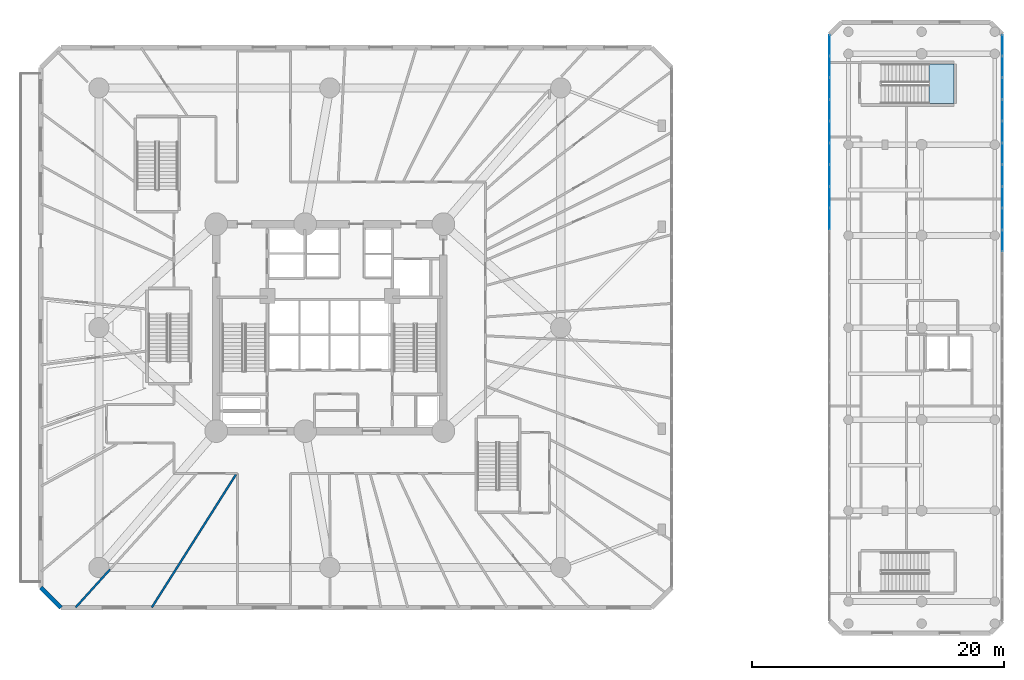
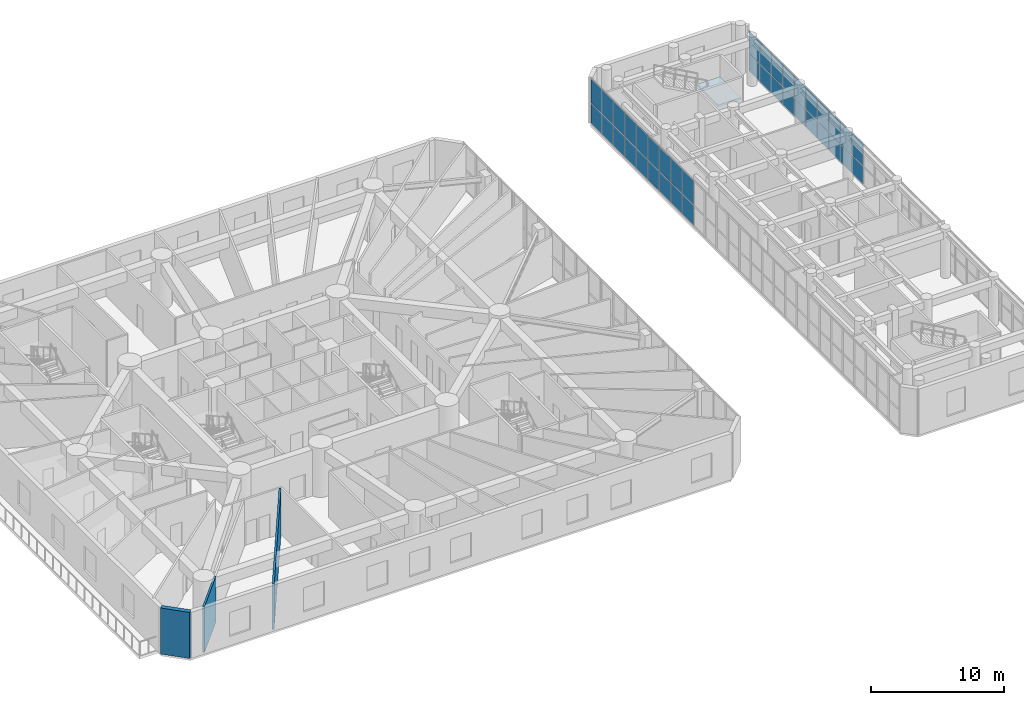
# One storey, part 11 of 24: 38 plates, 3 walls, 1 slab, 3 elements without a shape of their own.
"""IFC4 building model written with IfcOpenShell, lengths in metres."""

import ifcopenshell
import ifcopenshell.guid

model = None  # the IFC model being written
_history = None  # IfcOwnerHistory: only IFC2X3 demands one
_inside = {}  # id of a spatial element -> (the spatial element, [elements in it])
_under = {}  # id of a project, library or spatial element -> (it, [spatial elements below it])
_declared = {}  # id of a project -> (the project, [libraries it declares])
_typed = {}  # id of a type object -> (the type object, [elements of that type])
_made_of = {}  # id of a material, layer set ... -> (it, [elements and type objects made of it])


def new_model(schema):
    """Start an empty IFC model of exactly this schema.

    Asked for "IFC4X3", IfcOpenShell would pick the latest addendum, in which some entities
    have other attributes; the version numbers below select the first issue.
    IFC2X3 requires an IfcOwnerHistory on every rooted entity: one is made here for all.
    """
    global model, _history
    if schema == "IFC4X3":
        model = ifcopenshell.file(schema_version=(4, 3, 0, 0))
    else:
        model = ifcopenshell.file(schema=schema)
    _inside.clear()
    _under.clear()
    _declared.clear()
    _typed.clear()
    _made_of.clear()
    _history = None
    if model.schema == "IFC2X3":
        org = make("IfcOrganization", Name="unknown")
        user = make(
            "IfcPersonAndOrganization",
            ThePerson=make("IfcPerson", FamilyName="unknown"),
            TheOrganization=org,
        )
        app = make(
            "IfcApplication",
            ApplicationDeveloper=org,
            Version="unknown",
            ApplicationFullName="unknown",
            ApplicationIdentifier="unknown",
        )
        _history = make(
            "IfcOwnerHistory",
            OwningUser=user,
            OwningApplication=app,
            ChangeAction="ADDED",
            CreationDate=0,
        )
    return model


def make(cls, **values):
    """One entity of the class cls with the attributes given. An attribute that is None is left unset."""
    return model.create_entity(
        cls, **{name: value for name, value in values.items() if value is not None}
    )


def rooted(cls, **values):
    """An entity with a GlobalId (a new one), such as an element, a storey or a relation."""
    return make(cls, GlobalId=ifcopenshell.guid.new(), OwnerHistory=_history, **values)


def si_unit(unit_type, name, prefix=None):
    """IfcSIUnit, for example si_unit("LENGTHUNIT", "METRE", prefix="MILLI")."""
    return make("IfcSIUnit", UnitType=unit_type, Prefix=prefix, Name=name)


def assignment(units):
    """IfcUnitAssignment: the units of a project."""
    return None if units is None else make("IfcUnitAssignment", Units=units)


def point(xyz):
    """IfcCartesianPoint."""
    return None if xyz is None else make("IfcCartesianPoint", Coordinates=xyz)


def direction(xyz):
    """IfcDirection."""
    return None if xyz is None else make("IfcDirection", DirectionRatios=xyz)


def frame(location, z_axis=None, x_axis=None):
    """IfcAxis2Placement3D, a coordinate frame: its origin and axes. An axis left out is left unset."""
    return make(
        "IfcAxis2Placement3D",
        Location=point(location),
        Axis=direction(z_axis),
        RefDirection=direction(x_axis),
    )


def frame_2d(location, x_axis=None):
    """IfcAxis2Placement2D, a coordinate frame in the plane: its origin and x axis."""
    return make(
        "IfcAxis2Placement2D", Location=point(location), RefDirection=direction(x_axis)
    )


def origin():
    """The frame at (0, 0, 0) with its axes left unset."""
    return frame((0.0, 0.0, 0.0))


def origin_with_axes():
    """The frame at (0, 0, 0) with the z axis (0, 0, 1) and the x axis (1, 0, 0) written out."""
    return frame((0.0, 0.0, 0.0), z_axis=(0.0, 0.0, 1.0), x_axis=(1.0, 0.0, 0.0))


def origin_2d():
    """The frame at (0, 0) in the plane with its x axis left unset."""
    return frame_2d((0.0, 0.0))


def place(relative_to, where):
    """IfcLocalPlacement: puts the frame where relative to a parent placement (None: the world)."""
    return make(
        "IfcLocalPlacement", PlacementRelTo=relative_to, RelativePlacement=where
    )


def context(
    kind, dimensions, precision=None, world=None, true_north=None, identifier=None
):
    """IfcGeometricRepresentationContext, for example the 3D "Model" context."""
    return make(
        "IfcGeometricRepresentationContext",
        ContextIdentifier=identifier,
        ContextType=kind,
        CoordinateSpaceDimension=dimensions,
        Precision=precision,
        WorldCoordinateSystem=world,
        TrueNorth=true_north,
    )


def subcontext(parent, identifier, kind, view, scale=None):
    """IfcGeometricRepresentationSubContext, for example "Body" below "Model"."""
    return make(
        "IfcGeometricRepresentationSubContext",
        ContextIdentifier=identifier,
        ContextType=kind,
        ParentContext=parent,
        TargetScale=scale,
        TargetView=view,
    )


def project(units=None, contexts=None):
    """IfcProject with its units and contexts."""
    return rooted(
        "IfcProject",
        Name="project",
        RepresentationContexts=contexts,
        UnitsInContext=assignment(units),
    )


def spatial(cls, under=None, at=None, **own):
    """A site, building, storey or space (cls), placed at a placement, below another one or the project."""
    s = rooted(cls, ObjectPlacement=at, **own)
    if under is not None:
        _under.setdefault(under.id(), (under, []))[1].append(s)
    return s


def polyline(points):
    """IfcPolyline through the points."""
    return make("IfcPolyline", Points=[point(p) for p in points])


def profile(cls, at=None, kind="AREA", **sizes):
    """A parametric profile (cls). Its sizes go by their IFC names, for example OverallWidth=200.0."""
    return make(cls, ProfileType=kind, Position=at, **sizes)


def rectangle(**sizes):
    """IfcRectangleProfileDef."""
    return profile("IfcRectangleProfileDef", **sizes)


def outline(outer, holes=None, kind="AREA"):
    """IfcArbitraryClosedProfileDef: a profile drawn as a closed curve; with holes, ...WithVoids."""
    if holes is None:
        return make("IfcArbitraryClosedProfileDef", ProfileType=kind, OuterCurve=outer)
    return make(
        "IfcArbitraryProfileDefWithVoids",
        ProfileType=kind,
        OuterCurve=outer,
        InnerCurves=holes,
    )


def extrude(swept, where, along, depth):
    """IfcExtrudedAreaSolid: the profile swept, set in the frame where, extruded along a direction by depth."""
    return make(
        "IfcExtrudedAreaSolid",
        SweptArea=swept,
        Position=where,
        ExtrudedDirection=direction(along),
        Depth=depth,
    )


def shape(context_of_items, identifier, shape_type, items):
    """IfcShapeRepresentation: the items that make up one representation, for example the "Body"."""
    return make(
        "IfcShapeRepresentation",
        ContextOfItems=context_of_items,
        RepresentationIdentifier=identifier,
        RepresentationType=shape_type,
        Items=items,
    )


def source(mapping_origin, context_of_items, identifier, shape_type, items):
    """IfcRepresentationMap: a shape defined once, which mapped items show again and again."""
    return make(
        "IfcRepresentationMap",
        MappingOrigin=mapping_origin,
        MappedRepresentation=shape(context_of_items, identifier, shape_type, items),
    )


def transform(
    local_origin,
    x_axis=None,
    y_axis=None,
    z_axis=None,
    scale=None,
    scale2=None,
    scale3=None,
    uniform=True,
):
    """IfcCartesianTransformationOperator3D, or its non-uniform kind. x_axis, y_axis, z_axis: its Axis1, 2, 3."""
    if uniform:
        return make(
            "IfcCartesianTransformationOperator3D",
            Axis1=direction(x_axis),
            Axis2=direction(y_axis),
            LocalOrigin=point(local_origin),
            Scale=scale,
            Axis3=direction(z_axis),
        )
    return make(
        "IfcCartesianTransformationOperator3DnonUniform",
        Axis1=direction(x_axis),
        Axis2=direction(y_axis),
        LocalOrigin=point(local_origin),
        Scale=scale,
        Axis3=direction(z_axis),
        Scale2=scale2,
        Scale3=scale3,
    )


def mapped(mapping_source, mapping_target):
    """IfcMappedItem: shows the shape of a source again, moved by a transform."""
    return make(
        "IfcMappedItem", MappingSource=mapping_source, MappingTarget=mapping_target
    )


def material(Name=None, Category=None):
    """IfcMaterial."""
    return make("IfcMaterial", Name=Name, Category=Category)


def layer(
    of_material, thickness, ventilated=None, Name=None, Category=None, Priority=None
):
    """IfcMaterialLayer: one layer of a wall or slab, of a material (None: an air gap)."""
    return make(
        "IfcMaterialLayer",
        Material=of_material,
        LayerThickness=thickness,
        IsVentilated=ventilated,
        Name=Name,
        Category=Category,
        Priority=Priority,
    )


def layer_set(layers, Name=None):
    """IfcMaterialLayerSet."""
    return make("IfcMaterialLayerSet", MaterialLayers=layers, LayerSetName=Name)


def made_of(thing, what):
    """Note that an element or type object is made of a material, layer set ...; save() writes the relation."""
    if what is not None:
        _made_of.setdefault(what.id(), (what, []))[1].append(thing)
    return thing


def type_object(cls, material=None, **own):
    """A type object (cls), such as IfcWallType, which elements share."""
    return made_of(rooted(cls, **own), material)


def element(
    cls,
    number,
    at=None,
    inside=None,
    cuts=None,
    type_object=None,
    material=None,
    context=None,
    identifier="Body",
    shape_type=None,
    held_by="IfcProductDefinitionShape",
    body=None,
    shapes=None,
    **own,
):
    """One element of the class cls, such as IfcWall. Its Tag is "e" and its number.

    at: its placement. inside: the storey or other place that contains it. cuts: it is an
    opening in that element (IfcRelVoidsElement). A single representation is given by context,
    identifier, shape_type and body (its items); several are given by shapes. held_by: the class
    of the entity that holds the representations. save() writes the other relations.
    """
    e = rooted(cls, Tag="e%d" % number, ObjectPlacement=at, **own)
    if body is not None:
        shapes = [shape(context, identifier, shape_type, body)]
    if shapes is not None:
        e.Representation = make(held_by, Representations=shapes)
    if inside is not None:
        _inside.setdefault(inside.id(), (inside, []))[1].append(e)
    if cuts is not None:
        rooted(
            "IfcRelVoidsElement", RelatingBuildingElement=cuts, RelatedOpeningElement=e
        )
    if type_object is not None:
        _typed.setdefault(type_object.id(), (type_object, []))[1].append(e)
    return made_of(e, material)


def aggregate(whole, parts):
    """IfcRelAggregates: a whole, such as a stair, and the parts it consists of."""
    return rooted("IfcRelAggregates", RelatingObject=whole, RelatedObjects=parts)


def save(model, path):
    """Write the relations noted so far, then the file.

    IfcRelAggregates (storeys below a building ...), IfcRelContainedInSpatialStructure (elements
    in a storey), IfcRelDefinesByType, IfcRelAssociatesMaterial and IfcRelDeclares: one each for
    every whole, place, type object, material and project.
    """
    for whole, parts in _under.values():
        aggregate(whole, parts)
    for where, things in _inside.values():
        rooted(
            "IfcRelContainedInSpatialStructure",
            RelatedElements=things,
            RelatingStructure=where,
        )
    for kind, things in _typed.values():
        rooted("IfcRelDefinesByType", RelatedObjects=things, RelatingType=kind)
    for what, things in _made_of.values():
        rooted("IfcRelAssociatesMaterial", RelatedObjects=things, RelatingMaterial=what)
    for by, libraries in _declared.values():
        rooted("IfcRelDeclares", RelatingContext=by, RelatedDefinitions=libraries)
    model.write(path)


model = new_model("IFC4")

# Units and contexts
model_context = context("Model", 3, precision=1e-05, world=origin(), true_north=direction((0.0, 1.0)))
body_context = subcontext(model_context, "Body", "Model", "MODEL_VIEW")
ifc_project = project(units=[si_unit("LENGTHUNIT", "METRE"), si_unit("AREAUNIT", "SQUARE_METRE"), si_unit("VOLUMEUNIT", "CUBIC_METRE"), si_unit("PLANEANGLEUNIT", "RADIAN"), si_unit("MASSUNIT", "GRAM", prefix="KILO")], contexts=[model_context])

# Site, building, storey
site_placement = place(None, origin())
site = spatial("IfcSite", under=ifc_project, at=site_placement, CompositionType="ELEMENT")
building_placement = place(site_placement, origin())
building = spatial("IfcBuilding", under=site, at=building_placement, Name="Karkom Vertical University and Central Library", CompositionType="ELEMENT")
storey_placement = place(building_placement, frame((0.0, 0.0, 13.5)))
storey = spatial("IfcBuildingStorey", under=building, at=storey_placement, Name="L03", CompositionType="ELEMENT", Elevation=13.5)

# Stair, slab
ifc_material_1 = material(Name="Concrete C45/55", Category="concrete")
stair_type = type_object("IfcStairType", Name="INT-STR-ST-LIB", PredefinedType="HALF_TURN_STAIR", material=ifc_material_1)
stair_placement = place(storey_placement, origin())
stair = element("IfcStair", 1, at=stair_placement, inside=storey, type_object=stair_type, Name="Level 03 Central Library North Exit Stair LIB-ST2", PredefinedType="HALF_TURN_STAIR")
ifc_layer_1 = layer(ifc_material_1, 0.199951171875)
ifc_layer_set_1 = layer_set([ifc_layer_1], Name="Concrete C45/55")
slab_type = type_object("IfcSlabType", Name="INT-SLB-LANDING", PredefinedType="LANDING", material=ifc_layer_set_1)
slab_placement = place(storey_placement, frame((0.0, 0.0, 2.050048828125)))
slab = element("IfcSlab", 2, at=slab_placement, type_object=slab_type, Name="LIB-ST2 landing 1", PredefinedType="LANDING", context=body_context, shape_type="SweptSolid", body=[
    extrude(outline(polyline([(75.969970703125, 44.25), (77.949951171875, 44.25), (77.949951171875, 47.409912109375), (75.969970703125, 47.409912109375), (75.969970703125, 44.25)])), origin(), (0.0, 0.0, 1.0), 0.199951171875),
])
aggregate(stair, [slab])

# Curtain wall, plates
ifc_material_2 = material(Name="Aluminium curtain-wall framing and low-E IGU", Category="aluminium")
ifc_layer_2 = layer(ifc_material_2, 0.199951171875)
ifc_layer_set_2 = layer_set([ifc_layer_2], Name="Aluminium curtain-wall framing and low-E IGU")
curtain_wall_type = type_object("IfcCurtainWallType", Name="ENV-CW-1", PredefinedType="USERDEFINED", material=ifc_layer_set_2)
curtain_wall_1_placement = place(storey_placement, origin())
curtain_wall_1 = element("IfcCurtainWall", 3, at=curtain_wall_1_placement, inside=storey, type_object=curtain_wall_type, Name="Level 03 CW-1 Curtain Wall Level 03-CW-1-LIB-3", ObjectType="STICK MULLION GLAZING", PredefinedType="USERDEFINED")
ifc_material_3 = material(Name="Solar-control low-E double glazing 28mm", Category="glass")
ifc_layer_3 = layer(ifc_material_3, 0.028076171875)
ifc_layer_set_3 = layer_set([ifc_layer_3], Name="Solar-control low-E double glazing 28mm")
plate_type = type_object("IfcPlateType", Name="ENV-PLT-GLZ-28", PredefinedType="CURTAIN_PANEL", material=ifc_layer_set_3)
shared_shape_1 = source(origin_with_axes(), body_context, "Body", "SweptSolid", [
    extrude(rectangle(XDim=1.6171875, YDim=0.028076171875, at=origin_2d()), origin(), (0.0, 0.0, 1.0), 1.59375),
])
plate_1_placement = place(storey_placement, frame((81.800048828125, 48.871337890625, 0.070068359375), z_axis=(0.0, 0.0, 1.0), x_axis=(0.0, 1.0, 0.0)))
plate_1 = element("IfcPlate", 4, at=plate_1_placement, type_object=plate_type, Name="CW-1 panel 27.1", PredefinedType="CURTAIN_PANEL", context=body_context, shape_type="MappedRepresentation", body=[
    mapped(shared_shape_1, transform((0.0, 0.0, 0.0), scale=1.0)),
])
shared_shape_2 = source(origin_with_axes(), body_context, "Body", "SweptSolid", [
    extrude(rectangle(XDim=1.6171875, YDim=0.028076171875, at=origin_2d()), origin(), (0.0, 0.0, 1.0), 1.97119140625),
])
plate_2_placement = place(storey_placement, frame((81.800048828125, 48.871337890625, 1.73388671875), z_axis=(0.0, 0.0, 1.0), x_axis=(0.0, 1.0, 0.0)))
plate_2 = element("IfcPlate", 5, at=plate_2_placement, type_object=plate_type, Name="CW-1 panel 27.2", PredefinedType="CURTAIN_PANEL", context=body_context, shape_type="MappedRepresentation", body=[
    mapped(shared_shape_2, transform((0.0, 0.0, 0.0), scale=1.0)),
])
shared_shape_3 = source(origin_with_axes(), body_context, "Body", "SweptSolid", [
    extrude(rectangle(XDim=1.65234375, YDim=0.028076171875, at=origin_2d()), origin(), (0.0, 0.0, 1.0), 1.59375),
])
plate_3_placement = place(storey_placement, frame((81.800048828125, 33.388916015625, 0.070068359375), z_axis=(0.0, 0.0, 1.0), x_axis=(0.0, 1.0, 0.0)))
plate_3 = element("IfcPlate", 6, at=plate_3_placement, type_object=plate_type, Name="CW-1 panel 18.1", PredefinedType="CURTAIN_PANEL", context=body_context, shape_type="MappedRepresentation", body=[
    mapped(shared_shape_3, transform((0.0, 0.0, 0.0), scale=1.0)),
])
plate_4_placement = place(storey_placement, frame((81.800048828125, 35.111083984375, 0.070068359375), z_axis=(0.0, 0.0, 1.0), x_axis=(0.0, 1.0, 0.0)))
plate_4 = element("IfcPlate", 7, at=plate_4_placement, type_object=plate_type, Name="CW-1 panel 19.1", PredefinedType="CURTAIN_PANEL", context=body_context, shape_type="MappedRepresentation", body=[
    mapped(shared_shape_3, transform((0.0, 0.0, 0.0), scale=1.0)),
])
plate_5_placement = place(storey_placement, frame((81.800048828125, 36.833251953125, 0.070068359375), z_axis=(0.0, 0.0, 1.0), x_axis=(0.0, 1.0, 0.0)))
plate_5 = element("IfcPlate", 8, at=plate_5_placement, type_object=plate_type, Name="CW-1 panel 20.1", PredefinedType="CURTAIN_PANEL", context=body_context, shape_type="MappedRepresentation", body=[
    mapped(shared_shape_3, transform((0.0, 0.0, 0.0), scale=1.0)),
])
plate_6_placement = place(storey_placement, frame((81.800048828125, 38.5556640625, 0.070068359375), z_axis=(0.0, 0.0, 1.0), x_axis=(0.0, 1.0, 0.0)))
plate_6 = element("IfcPlate", 9, at=plate_6_placement, type_object=plate_type, Name="CW-1 panel 21.1", PredefinedType="CURTAIN_PANEL", context=body_context, shape_type="MappedRepresentation", body=[
    mapped(shared_shape_3, transform((0.0, 0.0, 0.0), scale=1.0)),
])
plate_7_placement = place(storey_placement, frame((81.800048828125, 40.27783203125, 0.070068359375), z_axis=(0.0, 0.0, 1.0), x_axis=(0.0, 1.0, 0.0)))
plate_7 = element("IfcPlate", 10, at=plate_7_placement, type_object=plate_type, Name="CW-1 panel 22.1", PredefinedType="CURTAIN_PANEL", context=body_context, shape_type="MappedRepresentation", body=[
    mapped(shared_shape_3, transform((0.0, 0.0, 0.0), scale=1.0)),
])
plate_8_placement = place(storey_placement, frame((81.800048828125, 42.0, 0.070068359375), z_axis=(0.0, 0.0, 1.0), x_axis=(0.0, 1.0, 0.0)))
plate_8 = element("IfcPlate", 11, at=plate_8_placement, type_object=plate_type, Name="CW-1 panel 23.1", PredefinedType="CURTAIN_PANEL", context=body_context, shape_type="MappedRepresentation", body=[
    mapped(shared_shape_3, transform((0.0, 0.0, 0.0), scale=1.0)),
])
plate_9_placement = place(storey_placement, frame((81.800048828125, 43.72216796875, 0.070068359375), z_axis=(0.0, 0.0, 1.0), x_axis=(0.0, 1.0, 0.0)))
plate_9 = element("IfcPlate", 12, at=plate_9_placement, type_object=plate_type, Name="CW-1 panel 24.1", PredefinedType="CURTAIN_PANEL", context=body_context, shape_type="MappedRepresentation", body=[
    mapped(shared_shape_3, transform((0.0, 0.0, 0.0), scale=1.0)),
])
plate_10_placement = place(storey_placement, frame((81.800048828125, 45.4443359375, 0.070068359375), z_axis=(0.0, 0.0, 1.0), x_axis=(0.0, 1.0, 0.0)))
plate_10 = element("IfcPlate", 13, at=plate_10_placement, type_object=plate_type, Name="CW-1 panel 25.1", PredefinedType="CURTAIN_PANEL", context=body_context, shape_type="MappedRepresentation", body=[
    mapped(shared_shape_3, transform((0.0, 0.0, 0.0), scale=1.0)),
])
plate_11_placement = place(storey_placement, frame((81.800048828125, 47.166748046875, 0.070068359375), z_axis=(0.0, 0.0, 1.0), x_axis=(0.0, 1.0, 0.0)))
plate_11 = element("IfcPlate", 14, at=plate_11_placement, type_object=plate_type, Name="CW-1 panel 26.1", PredefinedType="CURTAIN_PANEL", context=body_context, shape_type="MappedRepresentation", body=[
    mapped(shared_shape_3, transform((0.0, 0.0, 0.0), scale=1.0)),
])
shared_shape_4 = source(origin_with_axes(), body_context, "Body", "SweptSolid", [
    extrude(rectangle(XDim=1.65234375, YDim=0.028076171875, at=origin_2d()), origin(), (0.0, 0.0, 1.0), 1.97119140625),
])
plate_12_placement = place(storey_placement, frame((81.800048828125, 33.388916015625, 1.73388671875), z_axis=(0.0, 0.0, 1.0), x_axis=(0.0, 1.0, 0.0)))
plate_12 = element("IfcPlate", 15, at=plate_12_placement, type_object=plate_type, Name="CW-1 panel 18.2", PredefinedType="CURTAIN_PANEL", context=body_context, shape_type="MappedRepresentation", body=[
    mapped(shared_shape_4, transform((0.0, 0.0, 0.0), scale=1.0)),
])
plate_13_placement = place(storey_placement, frame((81.800048828125, 35.111083984375, 1.73388671875), z_axis=(0.0, 0.0, 1.0), x_axis=(0.0, 1.0, 0.0)))
plate_13 = element("IfcPlate", 16, at=plate_13_placement, type_object=plate_type, Name="CW-1 panel 19.2", PredefinedType="CURTAIN_PANEL", context=body_context, shape_type="MappedRepresentation", body=[
    mapped(shared_shape_4, transform((0.0, 0.0, 0.0), scale=1.0)),
])
plate_14_placement = place(storey_placement, frame((81.800048828125, 36.833251953125, 1.73388671875), z_axis=(0.0, 0.0, 1.0), x_axis=(0.0, 1.0, 0.0)))
plate_14 = element("IfcPlate", 17, at=plate_14_placement, type_object=plate_type, Name="CW-1 panel 20.2", PredefinedType="CURTAIN_PANEL", context=body_context, shape_type="MappedRepresentation", body=[
    mapped(shared_shape_4, transform((0.0, 0.0, 0.0), scale=1.0)),
])
plate_15_placement = place(storey_placement, frame((81.800048828125, 38.5556640625, 1.73388671875), z_axis=(0.0, 0.0, 1.0), x_axis=(0.0, 1.0, 0.0)))
plate_15 = element("IfcPlate", 18, at=plate_15_placement, type_object=plate_type, Name="CW-1 panel 21.2", PredefinedType="CURTAIN_PANEL", context=body_context, shape_type="MappedRepresentation", body=[
    mapped(shared_shape_4, transform((0.0, 0.0, 0.0), scale=1.0)),
])
plate_16_placement = place(storey_placement, frame((81.800048828125, 40.27783203125, 1.73388671875), z_axis=(0.0, 0.0, 1.0), x_axis=(0.0, 1.0, 0.0)))
plate_16 = element("IfcPlate", 19, at=plate_16_placement, type_object=plate_type, Name="CW-1 panel 22.2", PredefinedType="CURTAIN_PANEL", context=body_context, shape_type="MappedRepresentation", body=[
    mapped(shared_shape_4, transform((0.0, 0.0, 0.0), scale=1.0)),
])
plate_17_placement = place(storey_placement, frame((81.800048828125, 42.0, 1.73388671875), z_axis=(0.0, 0.0, 1.0), x_axis=(0.0, 1.0, 0.0)))
plate_17 = element("IfcPlate", 20, at=plate_17_placement, type_object=plate_type, Name="CW-1 panel 23.2", PredefinedType="CURTAIN_PANEL", context=body_context, shape_type="MappedRepresentation", body=[
    mapped(shared_shape_4, transform((0.0, 0.0, 0.0), scale=1.0)),
])
plate_18_placement = place(storey_placement, frame((81.800048828125, 43.72216796875, 1.73388671875), z_axis=(0.0, 0.0, 1.0), x_axis=(0.0, 1.0, 0.0)))
plate_18 = element("IfcPlate", 21, at=plate_18_placement, type_object=plate_type, Name="CW-1 panel 24.2", PredefinedType="CURTAIN_PANEL", context=body_context, shape_type="MappedRepresentation", body=[
    mapped(shared_shape_4, transform((0.0, 0.0, 0.0), scale=1.0)),
])
plate_19_placement = place(storey_placement, frame((81.800048828125, 45.4443359375, 1.73388671875), z_axis=(0.0, 0.0, 1.0), x_axis=(0.0, 1.0, 0.0)))
plate_19 = element("IfcPlate", 22, at=plate_19_placement, type_object=plate_type, Name="CW-1 panel 25.2", PredefinedType="CURTAIN_PANEL", context=body_context, shape_type="MappedRepresentation", body=[
    mapped(shared_shape_4, transform((0.0, 0.0, 0.0), scale=1.0)),
])
plate_20_placement = place(storey_placement, frame((81.800048828125, 47.166748046875, 1.73388671875), z_axis=(0.0, 0.0, 1.0), x_axis=(0.0, 1.0, 0.0)))
plate_20 = element("IfcPlate", 23, at=plate_20_placement, type_object=plate_type, Name="CW-1 panel 26.2", PredefinedType="CURTAIN_PANEL", context=body_context, shape_type="MappedRepresentation", body=[
    mapped(shared_shape_4, transform((0.0, 0.0, 0.0), scale=1.0)),
])
aggregate(curtain_wall_1, [plate_3, plate_12, plate_4, plate_13, plate_5, plate_14, plate_6, plate_15, plate_7, plate_16, plate_8, plate_17, plate_9, plate_18, plate_10, plate_19, plate_11, plate_20, plate_1, plate_2])

curtain_wall_2_placement = place(storey_placement, origin())
curtain_wall_2 = element("IfcCurtainWall", 24, at=curtain_wall_2_placement, inside=storey, type_object=curtain_wall_type, Name="Level 03 CW-1 Curtain Wall Level 03-CW-1-LIB-7", ObjectType="STICK MULLION GLAZING", PredefinedType="USERDEFINED")
shared_shape_5 = source(origin_with_axes(), body_context, "Body", "SweptSolid", [
    extrude(rectangle(XDim=1.6171875, YDim=0.028076171875, at=origin_2d()), origin(), (0.0, 0.0, 1.0), 1.796142578125),
])
plate_21_placement = place(storey_placement, frame((68.10009765625, 48.871337890625, 0.06982421875), z_axis=(0.0, 0.0, 1.0), x_axis=(0.0, -1.0, 0.0)))
plate_21 = element("IfcPlate", 25, at=plate_21_placement, type_object=plate_type, Name="CW-1 panel 1.1", PredefinedType="CURTAIN_PANEL", context=body_context, shape_type="MappedRepresentation", body=[
    mapped(shared_shape_5, transform((0.0, 0.0, 0.0), scale=1.0)),
])
shared_shape_6 = source(origin_with_axes(), body_context, "Body", "SweptSolid", [
    extrude(rectangle(XDim=1.6171875, YDim=0.028076171875, at=origin_2d()), origin(), (0.0, 0.0, 1.0), 2.21875),
])
plate_22_placement = place(storey_placement, frame((68.10009765625, 48.871337890625, 1.936279296875), z_axis=(0.0, 0.0, 1.0), x_axis=(0.0, -1.0, 0.0)))
plate_22 = element("IfcPlate", 26, at=plate_22_placement, type_object=plate_type, Name="CW-1 panel 1.2", PredefinedType="CURTAIN_PANEL", context=body_context, shape_type="MappedRepresentation", body=[
    mapped(shared_shape_6, transform((0.0, 0.0, 0.0), scale=1.0)),
])
shared_shape_7 = source(origin_with_axes(), body_context, "Body", "SweptSolid", [
    extrude(rectangle(XDim=1.65234375, YDim=0.028076171875, at=origin_2d()), origin(), (0.0, 0.0, 1.0), 1.796142578125),
])
plate_23_placement = place(storey_placement, frame((68.10009765625, 47.166748046875, 0.06982421875), z_axis=(0.0, 0.0, 1.0), x_axis=(0.0, -1.0, 0.0)))
plate_23 = element("IfcPlate", 27, at=plate_23_placement, type_object=plate_type, Name="CW-1 panel 2.1", PredefinedType="CURTAIN_PANEL", context=body_context, shape_type="MappedRepresentation", body=[
    mapped(shared_shape_7, transform((0.0, 0.0, 0.0), scale=1.0)),
])
plate_24_placement = place(storey_placement, frame((68.10009765625, 45.4443359375, 0.06982421875), z_axis=(0.0, 0.0, 1.0), x_axis=(0.0, -1.0, 0.0)))
plate_24 = element("IfcPlate", 28, at=plate_24_placement, type_object=plate_type, Name="CW-1 panel 3.1", PredefinedType="CURTAIN_PANEL", context=body_context, shape_type="MappedRepresentation", body=[
    mapped(shared_shape_7, transform((0.0, 0.0, 0.0), scale=1.0)),
])
plate_25_placement = place(storey_placement, frame((68.10009765625, 43.72216796875, 0.06982421875), z_axis=(0.0, 0.0, 1.0), x_axis=(0.0, -1.0, 0.0)))
plate_25 = element("IfcPlate", 29, at=plate_25_placement, type_object=plate_type, Name="CW-1 panel 4.1", PredefinedType="CURTAIN_PANEL", context=body_context, shape_type="MappedRepresentation", body=[
    mapped(shared_shape_7, transform((0.0, 0.0, 0.0), scale=1.0)),
])
plate_26_placement = place(storey_placement, frame((68.10009765625, 42.0, 0.06982421875), z_axis=(0.0, 0.0, 1.0), x_axis=(0.0, -1.0, 0.0)))
plate_26 = element("IfcPlate", 30, at=plate_26_placement, type_object=plate_type, Name="CW-1 panel 5.1", PredefinedType="CURTAIN_PANEL", context=body_context, shape_type="MappedRepresentation", body=[
    mapped(shared_shape_7, transform((0.0, 0.0, 0.0), scale=1.0)),
])
plate_27_placement = place(storey_placement, frame((68.10009765625, 40.27783203125, 0.06982421875), z_axis=(0.0, 0.0, 1.0), x_axis=(0.0, -1.0, 0.0)))
plate_27 = element("IfcPlate", 31, at=plate_27_placement, type_object=plate_type, Name="CW-1 panel 6.1", PredefinedType="CURTAIN_PANEL", context=body_context, shape_type="MappedRepresentation", body=[
    mapped(shared_shape_7, transform((0.0, 0.0, 0.0), scale=1.0)),
])
plate_28_placement = place(storey_placement, frame((68.10009765625, 38.5556640625, 0.06982421875), z_axis=(0.0, 0.0, 1.0), x_axis=(0.0, -1.0, 0.0)))
plate_28 = element("IfcPlate", 32, at=plate_28_placement, type_object=plate_type, Name="CW-1 panel 7.1", PredefinedType="CURTAIN_PANEL", context=body_context, shape_type="MappedRepresentation", body=[
    mapped(shared_shape_7, transform((0.0, 0.0, 0.0), scale=1.0)),
])
plate_29_placement = place(storey_placement, frame((68.10009765625, 36.833251953125, 0.06982421875), z_axis=(0.0, 0.0, 1.0), x_axis=(0.0, -1.0, 0.0)))
plate_29 = element("IfcPlate", 33, at=plate_29_placement, type_object=plate_type, Name="CW-1 panel 8.1", PredefinedType="CURTAIN_PANEL", context=body_context, shape_type="MappedRepresentation", body=[
    mapped(shared_shape_7, transform((0.0, 0.0, 0.0), scale=1.0)),
])
plate_30_placement = place(storey_placement, frame((68.10009765625, 35.111083984375, 0.06982421875), z_axis=(0.0, 0.0, 1.0), x_axis=(0.0, -1.0, 0.0)))
plate_30 = element("IfcPlate", 34, at=plate_30_placement, type_object=plate_type, Name="CW-1 panel 9.1", PredefinedType="CURTAIN_PANEL", context=body_context, shape_type="MappedRepresentation", body=[
    mapped(shared_shape_7, transform((0.0, 0.0, 0.0), scale=1.0)),
])
shared_shape_8 = source(origin_with_axes(), body_context, "Body", "SweptSolid", [
    extrude(rectangle(XDim=1.65234375, YDim=0.028076171875, at=origin_2d()), origin(), (0.0, 0.0, 1.0), 2.21875),
])
plate_31_placement = place(storey_placement, frame((68.10009765625, 47.166748046875, 1.936279296875), z_axis=(0.0, 0.0, 1.0), x_axis=(0.0, -1.0, 0.0)))
plate_31 = element("IfcPlate", 35, at=plate_31_placement, type_object=plate_type, Name="CW-1 panel 2.2", PredefinedType="CURTAIN_PANEL", context=body_context, shape_type="MappedRepresentation", body=[
    mapped(shared_shape_8, transform((0.0, 0.0, 0.0), scale=1.0)),
])
plate_32_placement = place(storey_placement, frame((68.10009765625, 45.4443359375, 1.936279296875), z_axis=(0.0, 0.0, 1.0), x_axis=(0.0, -1.0, 0.0)))
plate_32 = element("IfcPlate", 36, at=plate_32_placement, type_object=plate_type, Name="CW-1 panel 3.2", PredefinedType="CURTAIN_PANEL", context=body_context, shape_type="MappedRepresentation", body=[
    mapped(shared_shape_8, transform((0.0, 0.0, 0.0), scale=1.0)),
])
plate_33_placement = place(storey_placement, frame((68.10009765625, 43.72216796875, 1.936279296875), z_axis=(0.0, 0.0, 1.0), x_axis=(0.0, -1.0, 0.0)))
plate_33 = element("IfcPlate", 37, at=plate_33_placement, type_object=plate_type, Name="CW-1 panel 4.2", PredefinedType="CURTAIN_PANEL", context=body_context, shape_type="MappedRepresentation", body=[
    mapped(shared_shape_8, transform((0.0, 0.0, 0.0), scale=1.0)),
])
plate_34_placement = place(storey_placement, frame((68.10009765625, 42.0, 1.936279296875), z_axis=(0.0, 0.0, 1.0), x_axis=(0.0, -1.0, 0.0)))
plate_34 = element("IfcPlate", 38, at=plate_34_placement, type_object=plate_type, Name="CW-1 panel 5.2", PredefinedType="CURTAIN_PANEL", context=body_context, shape_type="MappedRepresentation", body=[
    mapped(shared_shape_8, transform((0.0, 0.0, 0.0), scale=1.0)),
])
plate_35_placement = place(storey_placement, frame((68.10009765625, 40.27783203125, 1.936279296875), z_axis=(0.0, 0.0, 1.0), x_axis=(0.0, -1.0, 0.0)))
plate_35 = element("IfcPlate", 39, at=plate_35_placement, type_object=plate_type, Name="CW-1 panel 6.2", PredefinedType="CURTAIN_PANEL", context=body_context, shape_type="MappedRepresentation", body=[
    mapped(shared_shape_8, transform((0.0, 0.0, 0.0), scale=1.0)),
])
plate_36_placement = place(storey_placement, frame((68.10009765625, 38.5556640625, 1.936279296875), z_axis=(0.0, 0.0, 1.0), x_axis=(0.0, -1.0, 0.0)))
plate_36 = element("IfcPlate", 40, at=plate_36_placement, type_object=plate_type, Name="CW-1 panel 7.2", PredefinedType="CURTAIN_PANEL", context=body_context, shape_type="MappedRepresentation", body=[
    mapped(shared_shape_8, transform((0.0, 0.0, 0.0), scale=1.0)),
])
plate_37_placement = place(storey_placement, frame((68.10009765625, 36.833251953125, 1.936279296875), z_axis=(0.0, 0.0, 1.0), x_axis=(0.0, -1.0, 0.0)))
plate_37 = element("IfcPlate", 41, at=plate_37_placement, type_object=plate_type, Name="CW-1 panel 8.2", PredefinedType="CURTAIN_PANEL", context=body_context, shape_type="MappedRepresentation", body=[
    mapped(shared_shape_8, transform((0.0, 0.0, 0.0), scale=1.0)),
])
plate_38_placement = place(storey_placement, frame((68.10009765625, 35.111083984375, 1.936279296875), z_axis=(0.0, 0.0, 1.0), x_axis=(0.0, -1.0, 0.0)))
plate_38 = element("IfcPlate", 42, at=plate_38_placement, type_object=plate_type, Name="CW-1 panel 9.2", PredefinedType="CURTAIN_PANEL", context=body_context, shape_type="MappedRepresentation", body=[
    mapped(shared_shape_8, transform((0.0, 0.0, 0.0), scale=1.0)),
])
aggregate(curtain_wall_2, [plate_21, plate_22, plate_23, plate_31, plate_24, plate_32, plate_25, plate_33, plate_26, plate_34, plate_27, plate_35, plate_28, plate_36, plate_29, plate_37, plate_30, plate_38])

# Walls
ifc_material_4 = material(Name="Brick masonry 360mm insulated cavity", Category="masonry")
ifc_layer_4 = layer(ifc_material_4, 0.360107421875)
ifc_layer_set_4 = layer_set([ifc_layer_4], Name="Brick masonry 360mm insulated cavity")
wall_type_1 = type_object("IfcWallType", Name="ENV-WL-BRK-360", PredefinedType="SOLIDWALL", material=ifc_layer_set_4)
wall_1_placement = place(storey_placement, frame((5.60009765625, 5.89990234375, 0.0), z_axis=(0.0, 0.0, 1.0), x_axis=(0.707106781187, -0.707106781187, 0.0)))
element("IfcWall", 43, at=wall_1_placement, inside=storey, type_object=wall_type_1, Name="Level 03 POD Terracotta Brick Facade Wall 08", PredefinedType="SOLIDWALL", context=body_context, shape_type="SweptSolid", body=[
    extrude(rectangle(XDim=2.262451171875, YDim=0.360107421875, at=frame_2d((1.13134765625, 0.0))), origin(), (0.0, 0.0, 1.0), 4.22509765625),
])
ifc_material_5 = material(Name="Insulated metal-stud drywall 160mm", Category="gypsum")
ifc_layer_5 = layer(ifc_material_5, 0.159912109375)
ifc_layer_set_5 = layer_set([ifc_layer_5], Name="Insulated metal-stud drywall 160mm")
wall_type_2 = type_object("IfcWallType", Name="INT-WL-COR-160", PredefinedType="PARTITIONING", material=ifc_layer_set_5)
wall_2_placement = place(storey_placement, frame((21.06640625, 14.867919921875, 0.0), z_axis=(0.0, 0.0, 1.0), x_axis=(-0.534838659137, -0.844954205086, 0.0)))
element("IfcWall", 44, at=wall_2_placement, inside=storey, type_object=wall_type_2, Name="Level 03 Interior Partition Wall Level 03-PODW-06-07-1", PredefinedType="PARTITIONING", context=body_context, shape_type="SweptSolid", body=[
    extrude(rectangle(XDim=12.46533203125, YDim=0.159912109375, at=frame_2d((6.232666015625, 0.0))), origin(), (0.0, 0.0, 1.0), 4.22509765625),
])
wall_3_placement = place(storey_placement, frame((11.086669921875, 7.3447265625, 0.0), z_axis=(0.0, 0.0, 1.0), x_axis=(-0.670954161955, -0.741498828425, 0.0)))
element("IfcWall", 45, at=wall_3_placement, inside=storey, type_object=wall_type_2, Name="Level 03 Interior Partition Wall Level 03-PODW-05-06-2", PredefinedType="PARTITIONING", context=body_context, shape_type="SweptSolid", body=[
    extrude(rectangle(XDim=4.06982421875, YDim=0.159912109375, at=frame_2d((2.034912109375, 0.0))), origin(), (0.0, 0.0, 1.0), 4.22509765625),
])

save(model, "model.ifc")
